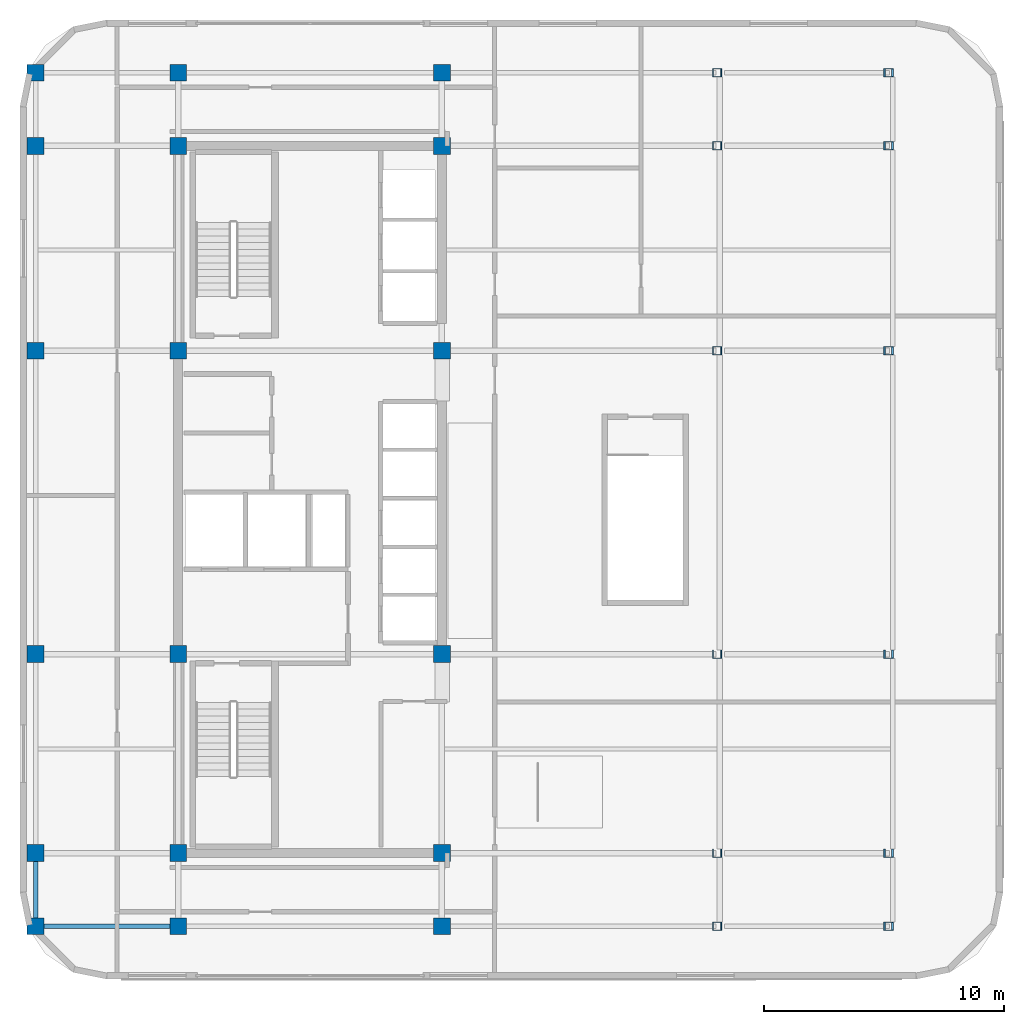
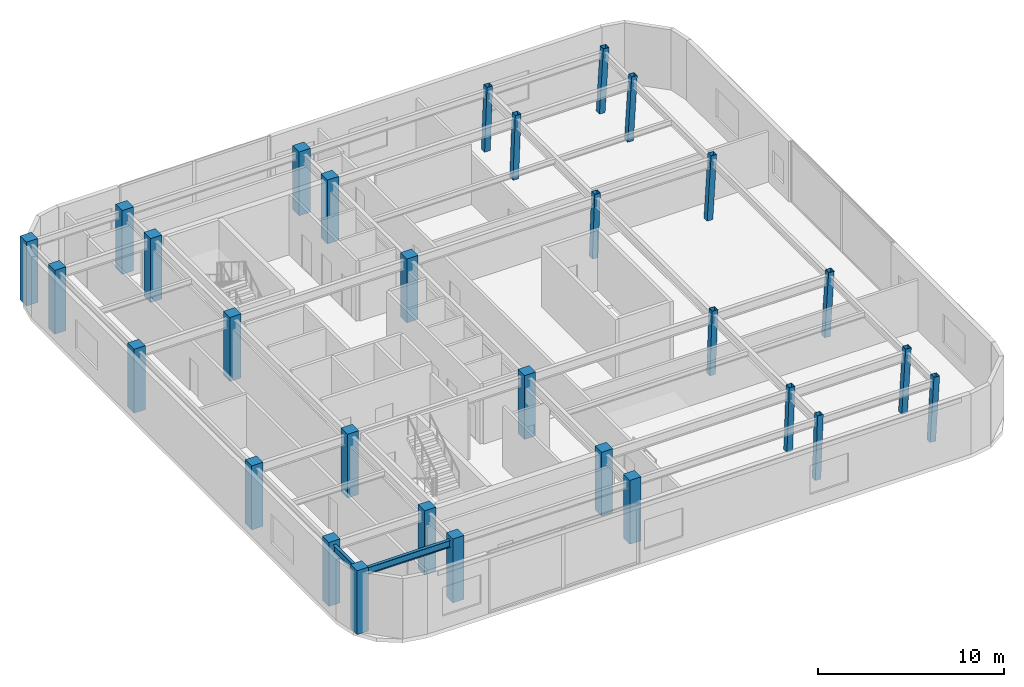
# One storey, part 1 of 11: 30 columns, 2 beams.
"""IFC4 building model written with IfcOpenShell, lengths in metres."""

from ifc_helpers import new_model, si_unit, direction, frame, origin, origin_2d, place, context, subcontext, project, spatial, rectangle, hollow_rectangle, i_section, extrude, material, material_profile, profile_set, type_object, element, save


model = new_model("IFC4")

# Units and contexts
model_context = context("Model", 3, precision=1e-05, world=origin(), true_north=direction((0.0, 1.0)))
body_context = subcontext(model_context, "Body", "Model", "MODEL_VIEW")
ifc_project = project(units=[si_unit("LENGTHUNIT", "METRE"), si_unit("AREAUNIT", "SQUARE_METRE"), si_unit("VOLUMEUNIT", "CUBIC_METRE"), si_unit("PLANEANGLEUNIT", "RADIAN"), si_unit("MASSUNIT", "GRAM", prefix="KILO")], contexts=[model_context])

# Site, building, storey
site_placement = place(None, origin())
site = spatial("IfcSite", under=ifc_project, at=site_placement, CompositionType="ELEMENT")
building_placement = place(site_placement, origin())
building = spatial("IfcBuilding", under=site, at=building_placement, Name="Ochreholt Gables", CompositionType="ELEMENT")
storey_placement = place(building_placement, frame((0.0, 0.0, 192.0)))
storey = spatial("IfcBuildingStorey", under=building, at=storey_placement, Name="L50", CompositionType="ELEMENT", Elevation=192.0)

# Columns
ifc_material_1 = material(Name="Steel CSA G40.21 350W", Category="steel")
ifc_material_profile_1 = material_profile(ifc_material_1, hollow_rectangle(XDim=0.35595703125, YDim=0.35595703125, WallThickness=0.01611328125, at=origin_2d()), Name="HSS356X356X16")
ifc_profile_set_1 = profile_set([ifc_material_profile_1], Name="Steel CSA G40.21 350W")
column_type_1 = type_object("IfcColumnType", Name="COL-HSS356-RAK", PredefinedType="COLUMN", material=ifc_profile_set_1)
for number, where, z_axis, x_axis, name in (
    (1, (46.656005859375, 9.25, 0.0), (0.034972489785, 0.0, 0.999388275376), (0.0, 1.0, 0.0), "L50 Column EMY2"),
    (2, (46.656005859375, 17.550048828125, 0.0), (0.034972489785, 0.0, 0.999388275376), (0.0, 1.0, 0.0), "L50 Column EMY3"),
    (3, (46.656005859375, 30.199951171875, 0.0), (0.034972489785, 0.0, 0.999388275376), (0.0, 1.0, 0.0), "L50 Column EMY4"),
    (4, (46.656005859375, 38.75, 0.0), (0.034972489785, 0.0, 0.999388275376), (0.0, 1.0, 0.0), "L50 Column EMY5"),
):
    element("IfcColumn", number, at=place(storey_placement, frame(where, z_axis=z_axis, x_axis=x_axis)), inside=storey, type_object=column_type_1, Name=name, PredefinedType="COLUMN", context=body_context, shape_type="SweptSolid", body=[
        extrude(hollow_rectangle(XDim=0.35595703125, YDim=0.35595703125, WallThickness=0.01611328125, at=origin_2d()), origin(), (0.0, 0.0, 1.0), 4.20263671875),
    ])
ifc_material_profile_2 = material_profile(ifc_material_1, hollow_rectangle(XDim=0.35595703125, YDim=0.35595703125, WallThickness=0.01611328125, at=origin_2d()), Name="HSS356X356X16")
ifc_profile_set_2 = profile_set([ifc_material_profile_2], Name="Steel CSA G40.21 350W")
column_type_2 = type_object("IfcColumnType", Name="COL-HSS356-RAKE", PredefinedType="COLUMN", material=ifc_profile_set_2)
for number, where, z_axis, x_axis, name in (
    (5, (46.656005859375, 6.199951171875, 0.0), (0.034972489785, 0.0, 0.999388275376), (0.0, 1.0, 0.0), "L50 Column EMY1"),
    (6, (46.656005859375, 41.800048828125, 0.0), (0.034972489785, 0.0, 0.999388275376), (0.0, 1.0, 0.0), "L50 Column EMY6"),
):
    element("IfcColumn", number, at=place(storey_placement, frame(where, z_axis=z_axis, x_axis=x_axis)), inside=storey, type_object=column_type_2, Name=name, PredefinedType="COLUMN", context=body_context, shape_type="SweptSolid", body=[
        extrude(hollow_rectangle(XDim=0.35595703125, YDim=0.35595703125, WallThickness=0.01611328125, at=origin_2d()), origin(), (0.0, 0.0, 1.0), 4.20263671875),
    ])
for number, where, z_axis, x_axis, name in (
    (7, (53.792724609375, 6.199951171875, 0.0), (0.057915760662, 0.0, 0.998321473608), (0.0, 1.0, 0.0), "L50 Column EEY1"),
    (8, (53.792724609375, 9.25, 0.0), (0.057915760662, 0.0, 0.998321473608), (0.0, 1.0, 0.0), "L50 Column EEY2"),
    (9, (53.792724609375, 17.550048828125, 0.0), (0.057915760662, 0.0, 0.998321473608), (0.0, 1.0, 0.0), "L50 Column EEY3"),
    (10, (53.792724609375, 30.199951171875, 0.0), (0.057915760662, 0.0, 0.998321473608), (0.0, 1.0, 0.0), "L50 Column EEY4"),
    (11, (53.792724609375, 38.75, 0.0), (0.057915760662, 0.0, 0.998321473608), (0.0, 1.0, 0.0), "L50 Column EEY5"),
    (12, (53.792724609375, 41.800048828125, 0.0), (0.057915760662, 0.0, 0.998321473608), (0.0, 1.0, 0.0), "L50 Column EEY6"),
):
    element("IfcColumn", number, at=place(storey_placement, frame(where, z_axis=z_axis, x_axis=x_axis)), inside=storey, type_object=column_type_2, Name=name, PredefinedType="COLUMN", context=body_context, shape_type="SweptSolid", body=[
        extrude(hollow_rectangle(XDim=0.35595703125, YDim=0.35595703125, WallThickness=0.01611328125, at=origin_2d()), origin(), (0.0, 0.0, 1.0), 4.20703125),
    ])
ifc_material_2 = material(Name="Concrete 50 MPa", Category="concrete")
ifc_material_profile_3 = material_profile(ifc_material_2, rectangle(XDim=0.699951171875, YDim=0.699951171875, at=origin_2d()), Name="RC700X700")
ifc_profile_set_3 = profile_set([ifc_material_profile_3], Name="Concrete 50 MPa")
column_type_3 = type_object("IfcColumnType", Name="COL-RC700-EXT", PredefinedType="COLUMN", material=ifc_profile_set_3)
for number, where, z_axis, x_axis, name in (
    (13, (18.25, 6.199951171875, 0.0), (0.0, 0.0, 1.0), (1.0, 0.0, 0.0), "L50 Column W3Y1"),
    (14, (18.25, 9.25, 0.0), (0.0, 0.0, 1.0), (1.0, 0.0, 0.0), "L50 Column W3Y2"),
    (15, (18.25, 17.550048828125, 0.0), (0.0, 0.0, 1.0), (1.0, 0.0, 0.0), "L50 Column W3Y3"),
    (16, (18.25, 30.199951171875, 0.0), (0.0, 0.0, 1.0), (1.0, 0.0, 0.0), "L50 Column W3Y4"),
    (17, (18.25, 38.75, 0.0), (0.0, 0.0, 1.0), (1.0, 0.0, 0.0), "L50 Column W3Y5"),
    (18, (18.25, 41.800048828125, 0.0), (0.0, 0.0, 1.0), (1.0, 0.0, 0.0), "L50 Column W3Y6"),
    (19, (24.199951171875, 6.199951171875, 0.0), (0.0, 0.0, 1.0), (1.0, 0.0, 0.0), "L50 Column C1Y1"),
    (20, (24.199951171875, 41.800048828125, 0.0), (0.0, 0.0, 1.0), (1.0, 0.0, 0.0), "L50 Column C1Y6"),
    (21, (35.199951171875, 6.199951171875, 0.0), (0.0, 0.0, 1.0), (1.0, 0.0, 0.0), "L50 Column C2Y1"),
    (22, (35.199951171875, 41.800048828125, 0.0), (0.0, 0.0, 1.0), (1.0, 0.0, 0.0), "L50 Column C2Y6"),
):
    element("IfcColumn", number, at=place(storey_placement, frame(where, z_axis=z_axis, x_axis=x_axis)), inside=storey, type_object=column_type_3, Name=name, PredefinedType="COLUMN", context=body_context, shape_type="SweptSolid", body=[
        extrude(rectangle(XDim=0.699951171875, YDim=0.699951171875, at=origin_2d()), origin(), (0.0, 0.0, 1.0), 4.199951171875),
    ])
ifc_material_profile_4 = material_profile(ifc_material_2, rectangle(XDim=0.699951171875, YDim=0.699951171875, at=origin_2d()), Name="RC700X700")
ifc_profile_set_4 = profile_set([ifc_material_profile_4], Name="Concrete 50 MPa")
column_type_4 = type_object("IfcColumnType", Name="COL-RC700-INT", PredefinedType="COLUMN", material=ifc_profile_set_4)
for number, where, z_axis, x_axis, name in (
    (23, (24.199951171875, 9.25, 0.0), (0.0, 0.0, 1.0), (1.0, 0.0, 0.0), "L50 Column C1Y2"),
    (24, (24.199951171875, 17.550048828125, 0.0), (0.0, 0.0, 1.0), (1.0, 0.0, 0.0), "L50 Column C1Y3"),
    (25, (24.199951171875, 30.199951171875, 0.0), (0.0, 0.0, 1.0), (1.0, 0.0, 0.0), "L50 Column C1Y4"),
    (26, (24.199951171875, 38.75, 0.0), (0.0, 0.0, 1.0), (1.0, 0.0, 0.0), "L50 Column C1Y5"),
    (27, (35.199951171875, 9.25, 0.0), (0.0, 0.0, 1.0), (1.0, 0.0, 0.0), "L50 Column C2Y2"),
    (28, (35.199951171875, 17.550048828125, 0.0), (0.0, 0.0, 1.0), (1.0, 0.0, 0.0), "L50 Column C2Y3"),
    (29, (35.199951171875, 30.199951171875, 0.0), (0.0, 0.0, 1.0), (1.0, 0.0, 0.0), "L50 Column C2Y4"),
    (30, (35.199951171875, 38.75, 0.0), (0.0, 0.0, 1.0), (1.0, 0.0, 0.0), "L50 Column C2Y5"),
):
    element("IfcColumn", number, at=place(storey_placement, frame(where, z_axis=z_axis, x_axis=x_axis)), inside=storey, type_object=column_type_4, Name=name, PredefinedType="COLUMN", context=body_context, shape_type="SweptSolid", body=[
        extrude(rectangle(XDim=0.699951171875, YDim=0.699951171875, at=origin_2d()), origin(), (0.0, 0.0, 1.0), 4.199951171875),
    ])

# Beams
ifc_material_profile_5 = material_profile(ifc_material_1, i_section(OverallWidth=0.19189453125, OverallDepth=0.462890625, WebThickness=0.010498046875, FlangeThickness=0.017578125, at=origin_2d()), Name="W460X89")
ifc_profile_set_5 = profile_set([ifc_material_profile_5], Name="Steel CSA G40.21 350W")
beam_type = type_object("IfcBeamType", Name="BM-SP-W460A", PredefinedType="SPANDREL", material=ifc_profile_set_5)
beam_1_placement = place(storey_placement, frame((18.599609375, 6.199951171875, 3.728515625), z_axis=(1.0, 0.0, 0.0), x_axis=(0.0, 1.0, 0.0)))
element("IfcBeam", 31, at=beam_1_placement, inside=storey, type_object=beam_type, Name="L50 Beam TBG-L50-W3C1-Y1", PredefinedType="SPANDREL", context=body_context, shape_type="SweptSolid", body=[
    extrude(i_section(OverallWidth=0.19189453125, OverallDepth=0.462890625, WebThickness=0.010498046875, FlangeThickness=0.017578125, at=origin_2d()), origin(), (0.0, 0.0, 1.0), 5.250732421875),
])
beam_2_placement = place(storey_placement, frame((18.25, 6.549560546875, 3.728515625), z_axis=(0.0, 1.0, 0.0), x_axis=(-1.0, 0.0, 0.0)))
element("IfcBeam", 32, at=beam_2_placement, inside=storey, type_object=beam_type, Name="L50 Beam TBN-L50-W3-Y1Y2", PredefinedType="SPANDREL", context=body_context, shape_type="SweptSolid", body=[
    extrude(i_section(OverallWidth=0.19189453125, OverallDepth=0.462890625, WebThickness=0.010498046875, FlangeThickness=0.017578125, at=origin_2d()), origin(), (0.0, 0.0, 1.0), 2.350830078125),
])

save(model, "model.ifc")
